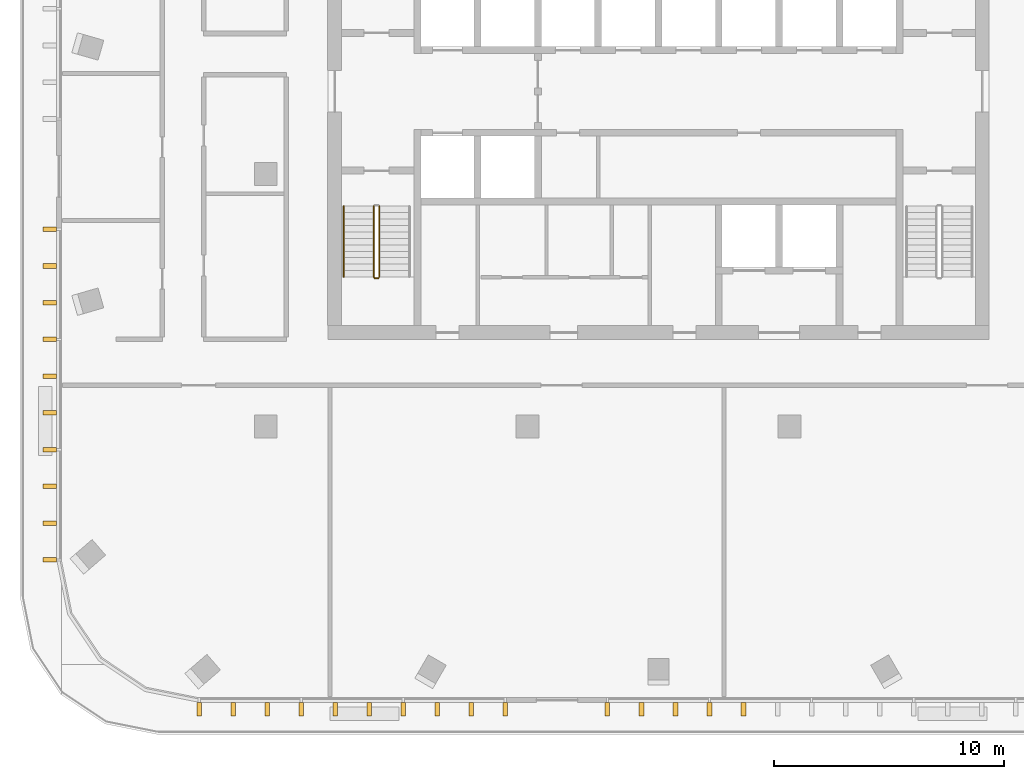
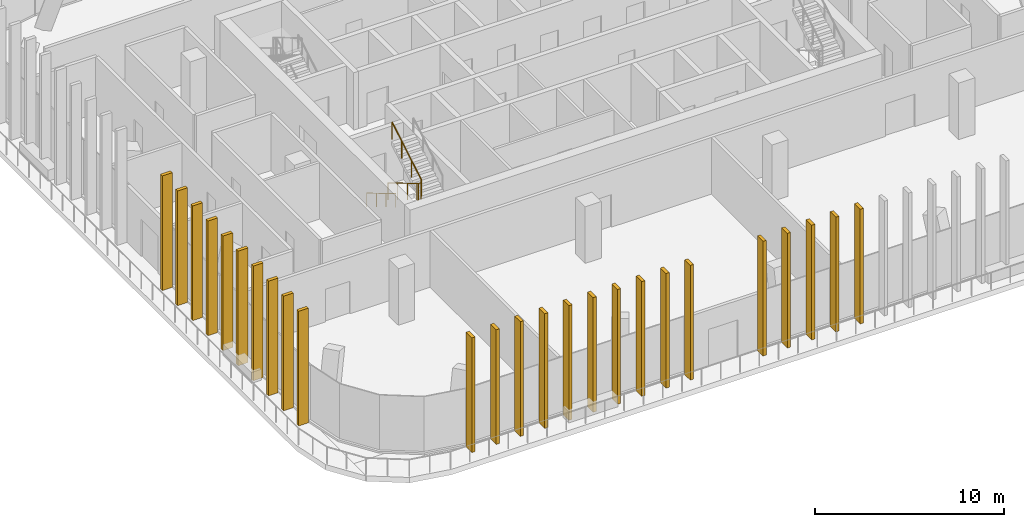
# One storey, part 11 of 15: 25 shading devices, 3 railings.
"""IFC4 building model written with IfcOpenShell, lengths in metres."""

from ifc_helpers import new_model, si_unit, direction, frame, origin, origin_2d, place, context, subcontext, project, spatial, rectangle, circle, extrude, material, type_object, element, save


model = new_model("IFC4")

# Units and contexts
model_context = context("Model", 3, precision=1e-05, world=origin(), true_north=direction((0.0, 1.0)))
body_context = subcontext(model_context, "Body", "Model", "MODEL_VIEW")
ifc_project = project(units=[si_unit("LENGTHUNIT", "METRE"), si_unit("AREAUNIT", "SQUARE_METRE"), si_unit("VOLUMEUNIT", "CUBIC_METRE"), si_unit("PLANEANGLEUNIT", "RADIAN"), si_unit("MASSUNIT", "GRAM", prefix="KILO")], contexts=[model_context])

# Site, building, storey
site_placement = place(None, origin())
site = spatial("IfcSite", under=ifc_project, at=site_placement, CompositionType="ELEMENT")
building_placement = place(site_placement, origin())
building = spatial("IfcBuilding", under=site, at=building_placement, Name="Mopane Tessera Tower", CompositionType="ELEMENT")
storey_placement = place(building_placement, frame((0.0, 0.0, 329.39990234375)))
storey = spatial("IfcBuildingStorey", under=building, at=storey_placement, Name="L72", CompositionType="ELEMENT", Elevation=329.39990234375)

# Shading devices
ifc_material_1 = material(Name="Glazed ceramic tile")
shading_device_type = type_object("IfcShadingDeviceType", Name="Ceramic tile fin 600 x 200 mm", PredefinedType="USERDEFINED", material=ifc_material_1)
for number, where, z_axis, x_axis, name in (
    (1, (-20.0, -23.300048828125, 0.000244140625), (0.0, 0.0, 1.0), (1.0, 0.0, 0.0), "e:fin:L72:S:0:0"),
    (2, (-18.5185546875, -23.300048828125, 0.000244140625), (0.0, 0.0, 1.0), (1.0, 0.0, 0.0), "e:fin:L72:S:0:1"),
    (3, (-17.037109375, -23.300048828125, 0.000244140625), (0.0, 0.0, 1.0), (1.0, 0.0, 0.0), "e:fin:L72:S:0:2"),
    (4, (-15.5556640625, -23.300048828125, 0.000244140625), (0.0, 0.0, 1.0), (1.0, 0.0, 0.0), "e:fin:L72:S:1:0"),
    (5, (-14.073974609375, -23.300048828125, 0.000244140625), (0.0, 0.0, 1.0), (1.0, 0.0, 0.0), "e:fin:L72:S:1:1"),
    (6, (-12.592529296875, -23.300048828125, 0.000244140625), (0.0, 0.0, 1.0), (1.0, 0.0, 0.0), "e:fin:L72:S:1:2"),
    (7, (-11.111083984375, -23.300048828125, 0.000244140625), (0.0, 0.0, 1.0), (1.0, 0.0, 0.0), "e:fin:L72:S:2:0"),
    (8, (-9.629638671875, -23.300048828125, 0.000244140625), (0.0, 0.0, 1.0), (1.0, 0.0, 0.0), "e:fin:L72:S:2:1"),
    (9, (-8.148193359375, -23.300048828125, 0.000244140625), (0.0, 0.0, 1.0), (1.0, 0.0, 0.0), "e:fin:L72:S:2:2"),
    (10, (-6.666748046875, -23.300048828125, 0.000244140625), (0.0, 0.0, 1.0), (1.0, 0.0, 0.0), "e:fin:L72:S:2:3"),
    (11, (-2.22216796875, -23.300048828125, 0.000244140625), (0.0, 0.0, 1.0), (1.0, 0.0, 0.0), "e:fin:L72:S:4:0"),
    (12, (-0.74072265625, -23.300048828125, 0.000244140625), (0.0, 0.0, 1.0), (1.0, 0.0, 0.0), "e:fin:L72:S:4:1"),
    (13, (0.74072265625, -23.300048828125, 0.000244140625), (0.0, 0.0, 1.0), (1.0, 0.0, 0.0), "e:fin:L72:S:4:2"),
    (14, (2.22216796875, -23.300048828125, 0.000244140625), (0.0, 0.0, 1.0), (1.0, 0.0, 0.0), "e:fin:L72:S:5:0"),
    (15, (3.70361328125, -23.300048828125, 0.000244140625), (0.0, 0.0, 1.0), (1.0, 0.0, 0.0), "e:fin:L72:S:5:1"),
    (16, (-26.5, -2.39990234375, 0.000244140625), (0.0, 0.0, 1.0), (0.0, -1.0, 0.0), "e:fin:L72:W:4:0"),
    (17, (-26.5, -4.0, 0.000244140625), (0.0, 0.0, 1.0), (0.0, -1.0, 0.0), "e:fin:L72:W:4:1"),
    (18, (-26.5, -5.60009765625, 0.000244140625), (0.0, 0.0, 1.0), (0.0, -1.0, 0.0), "e:fin:L72:W:4:2"),
    (19, (-26.5, -7.199951171875, 0.000244140625), (0.0, 0.0, 1.0), (0.0, -1.0, 0.0), "e:fin:L72:W:5:0"),
    (20, (-26.5, -8.800048828125, 0.000244140625), (0.0, 0.0, 1.0), (0.0, -1.0, 0.0), "e:fin:L72:W:5:1"),
    (21, (-26.5, -10.39990234375, 0.000244140625), (0.0, 0.0, 1.0), (0.0, -1.0, 0.0), "e:fin:L72:W:5:2"),
    (22, (-26.5, -12.0, 0.000244140625), (0.0, 0.0, 1.0), (0.0, -1.0, 0.0), "e:fin:L72:W:6:0"),
    (23, (-26.5, -13.60009765625, 0.000244140625), (0.0, 0.0, 1.0), (0.0, -1.0, 0.0), "e:fin:L72:W:6:1"),
    (24, (-26.5, -15.199951171875, 0.000244140625), (0.0, 0.0, 1.0), (0.0, -1.0, 0.0), "e:fin:L72:W:6:2"),
    (25, (-26.5, -16.800048828125, 0.000244140625), (0.0, 0.0, 1.0), (0.0, -1.0, 0.0), "e:fin:L72:W:6:3"),
):
    element("IfcShadingDevice", number, at=place(storey_placement, frame(where, z_axis=z_axis, x_axis=x_axis)), inside=storey, type_object=shading_device_type, Name=name, ObjectType="FIN", PredefinedType="USERDEFINED", context=body_context, shape_type="SweptSolid", body=[
        extrude(rectangle(XDim=0.199951171875, YDim=0.60009765625, at=origin_2d()), origin(), (0.0, 0.0, 1.0), 7.39990234375),
    ])

# Railings
ifc_material_2 = material(Name="Powder-coated steel balustrade", Category="steel")
railing_type_1 = type_object("IfcRailingType", Name="Escape stair guard 1100 mm", PredefinedType="GUARDRAIL", material=ifc_material_2)
railing_1_placement = place(storey_placement, frame((-12.39990234375, -1.39990234375, 0.166748046875)))
element("IfcRailing", 26, at=railing_1_placement, inside=storey, type_object=railing_type_1, Name="L72 ST1 stair guard 1", PredefinedType="GUARDRAIL", context=body_context, shape_type="SweptSolid", body=[
    extrude(circle(Radius=0.02392578125, at=origin_2d()), frame((0.0, 0.0, 1.076171875), z_axis=(0.0, -0.859308565015, 0.511457515432), x_axis=(1.0, 0.0, 0.0)), (0.0, 0.0, 1.0), 3.58447265625),
    extrude(circle(Radius=0.02392578125, at=origin_2d()), frame((0.0, -3.080078125, 2.9091796875), z_axis=(0.705375805398, -0.708833529934, 0.0), x_axis=(0.708833529934, 0.705375805398, 0.0)), (0.0, 0.0, 1.0), 0.070556640625),
    extrude(circle(Radius=0.02392578125, at=origin_2d()), frame((0.0498046875, -3.130126953125, 2.9091796875), z_axis=(1.0, 0.0, 0.0), x_axis=(0.0, 1.0, 0.0)), (0.0, 0.0, 1.0), 0.150146484375),
    extrude(circle(Radius=0.02099609375, at=origin_2d()), origin(), (0.0, 0.0, 1.0), 1.052001953125),
    extrude(circle(Radius=0.02099609375, at=origin_2d()), frame((0.0, -1.026611328125, 0.611083984375)), (0.0, 0.0, 1.0), 1.052001953125),
    extrude(circle(Radius=0.02099609375, at=origin_2d()), frame((0.0, -2.053466796875, 1.22216796875)), (0.0, 0.0, 1.0), 1.052001953125),
    extrude(circle(Radius=0.02099609375, at=origin_2d()), frame((0.0, -3.080078125, 1.833251953125)), (0.0, 0.0, 1.0), 1.052001953125),
    extrude(circle(Radius=0.02099609375, at=origin_2d()), frame((0.0498046875, -3.130126953125, 1.833251953125)), (0.0, 0.0, 1.0), 1.052001953125),
    extrude(circle(Radius=0.02099609375, at=origin_2d()), frame((0.199951171875, -3.130126953125, 1.833251953125)), (0.0, 0.0, 1.0), 1.052001953125),
])
railing_2_placement = place(storey_placement, frame((-12.14990234375, -4.47998046875, 2.166748046875)))
element("IfcRailing", 27, at=railing_2_placement, inside=storey, type_object=railing_type_1, Name="L72 ST1 stair guard 2", PredefinedType="GUARDRAIL", context=body_context, shape_type="SweptSolid", body=[
    extrude(circle(Radius=0.02392578125, at=origin_2d()), frame((0.0, 0.0, 1.076171875), z_axis=(0.0, 0.859308565015, 0.511457515432), x_axis=(-1.0, 0.0, 0.0)), (0.0, 0.0, 1.0), 3.58447265625),
    extrude(circle(Radius=0.02099609375, at=origin_2d()), origin(), (0.0, 0.0, 1.0), 1.052001953125),
    extrude(circle(Radius=0.02099609375, at=origin_2d()), frame((0.0, 1.026611328125, 0.611083984375)), (0.0, 0.0, 1.0), 1.052001953125),
    extrude(circle(Radius=0.02099609375, at=origin_2d()), frame((0.0, 2.053466796875, 1.22216796875)), (0.0, 0.0, 1.0), 1.052001953125),
    extrude(circle(Radius=0.02099609375, at=origin_2d()), frame((0.0, 3.080078125, 1.833251953125)), (0.0, 0.0, 1.0), 1.052001953125),
])
ifc_material_3 = material(Name="Powder-coated steel balustrade", Category="steel")
railing_type_2 = type_object("IfcRailingType", Name="Escape stair handrail 900 mm", PredefinedType="HANDRAIL", material=ifc_material_3)
railing_3_placement = place(storey_placement, frame((-13.699951171875, -1.39990234375, 0.166748046875)))
element("IfcRailing", 28, at=railing_3_placement, inside=storey, type_object=railing_type_2, Name="L72 ST1 stair handrail 1", PredefinedType="HANDRAIL", context=body_context, shape_type="SweptSolid", body=[
    extrude(circle(Radius=0.02392578125, at=origin_2d()), frame((0.0, 0.0, 0.8759765625), z_axis=(0.0, -0.859308565015, 0.511457515432), x_axis=(1.0, 0.0, 0.0)), (0.0, 0.0, 1.0), 3.58447265625),
    extrude(circle(Radius=0.02099609375, at=origin_2d()), origin(), (0.0, 0.0, 1.0), 0.851806640625),
    extrude(circle(Radius=0.02099609375, at=origin_2d()), frame((0.0, -1.026611328125, 0.611083984375)), (0.0, 0.0, 1.0), 0.851806640625),
    extrude(circle(Radius=0.02099609375, at=origin_2d()), frame((0.0, -2.053466796875, 1.22216796875)), (0.0, 0.0, 1.0), 0.851806640625),
    extrude(circle(Radius=0.02099609375, at=origin_2d()), frame((0.0, -3.080078125, 1.833251953125)), (0.0, 0.0, 1.0), 0.851806640625),
])

save(model, "model.ifc")
